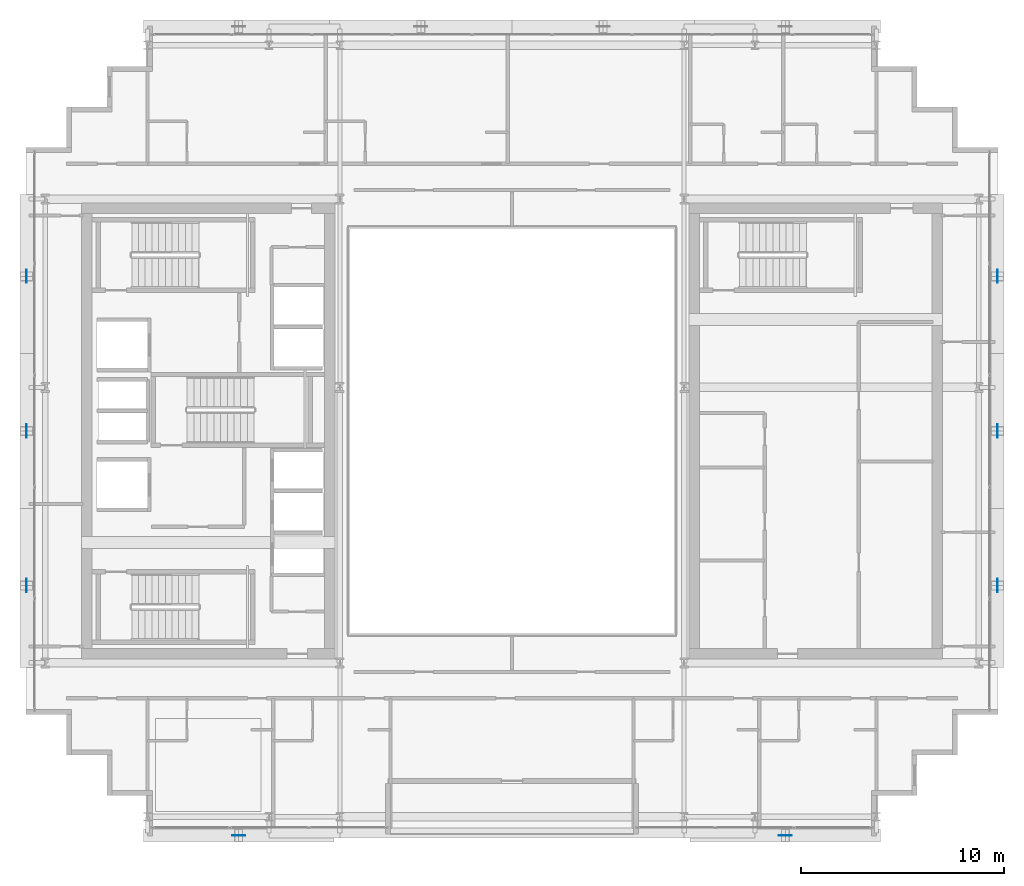
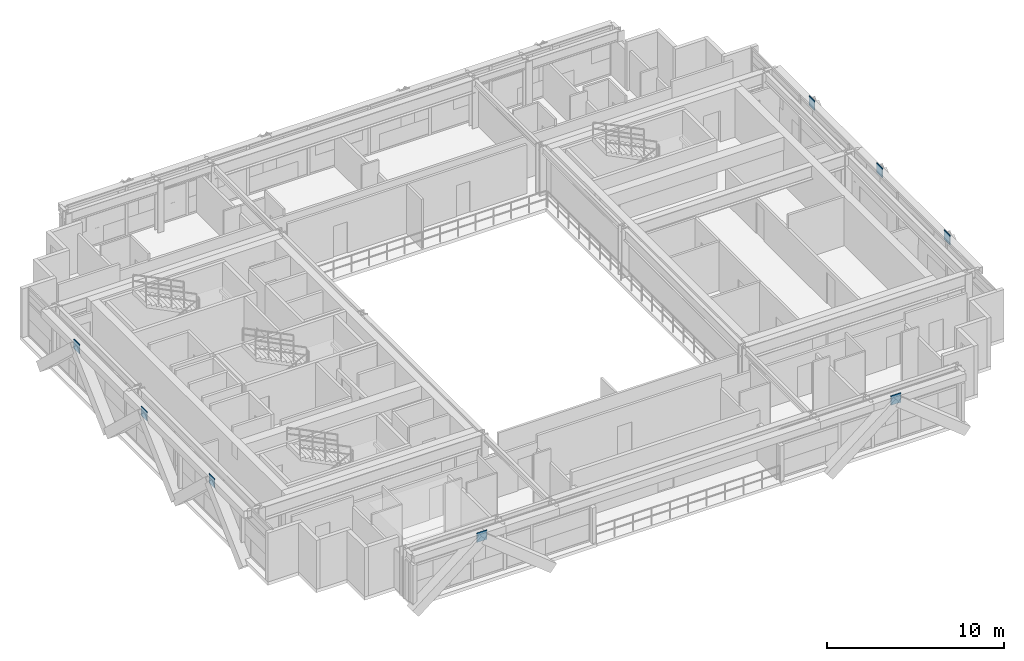
# One storey, part 22 of 31: 8 plates.
"""IFC4 building model written with IfcOpenShell, lengths in metres."""

from ifc_helpers import new_model, si_unit, direction, frame, origin, origin_2d, place, context, subcontext, project, spatial, rectangle, extrude, source, transform, mapped, material, layer, layer_set, type_object, element, save


model = new_model("IFC4")

# Units and contexts
model_context = context("Model", 3, precision=1e-05, world=origin(), true_north=direction((0.0, 1.0)))
body_context = subcontext(model_context, "Body", "Model", "MODEL_VIEW")
ifc_project = project(units=[si_unit("LENGTHUNIT", "METRE"), si_unit("AREAUNIT", "SQUARE_METRE"), si_unit("VOLUMEUNIT", "CUBIC_METRE"), si_unit("PLANEANGLEUNIT", "RADIAN"), si_unit("MASSUNIT", "GRAM", prefix="KILO")], contexts=[model_context])

# Site, building, storey
site_placement = place(None, origin())
site = spatial("IfcSite", under=ifc_project, at=site_placement, CompositionType="ELEMENT")
building_placement = place(site_placement, origin())
building = spatial("IfcBuilding", under=site, at=building_placement, Name="Ocotamira Hotel", CompositionType="ELEMENT")
storey_placement = place(building_placement, frame((0.0, 0.0, 174.0)))
storey = spatial("IfcBuildingStorey", under=building, at=storey_placement, Name="L43", CompositionType="ELEMENT", Elevation=174.0)

# Plates
ifc_material = material(Name="Pale-metal coated steel ASTM A572 Grade 50", Category="steel")
ifc_layer = layer(ifc_material, 0.0400390625)
ifc_layer_set = layer_set([ifc_layer], Name="Pale-metal coated steel ASTM A572 Grade 50")
plate_type = type_object("IfcPlateType", Name="PLT-GUSSET-40", PredefinedType="SHEET", material=ifc_layer_set)
shared_shape_1 = source(origin(), body_context, "Body", "SweptSolid", [
    extrude(rectangle(XDim=0.64990234375, YDim=0.0400390625, at=origin_2d()), origin(), (0.0, 0.0, 1.0), 0.64990234375),
])
for number, where, z_axis, x_axis, name in (
    (1, (18.5, 6.030029296875, 2.795166015625), (0.0, 0.0, 1.0), (1.0, 0.0, 0.0), "L43 Exoskeleton Diagrid S0.1 End Gusset B"),
    (2, (45.5, 6.030029296875, 2.795166015625), (0.0, 0.0, 1.0), (1.0, 0.0, 0.0), "L43 Exoskeleton Diagrid S3.1 End Gusset B"),
):
    element("IfcPlate", number, at=place(storey_placement, frame(where, z_axis=z_axis, x_axis=x_axis)), inside=storey, type_object=plate_type, Name=name, PredefinedType="SHEET", context=body_context, shape_type="MappedRepresentation", body=[
        mapped(shared_shape_1, transform((0.0, 0.0, 0.0), scale=1.0)),
    ])
shared_shape_2 = source(origin(), body_context, "Body", "SweptSolid", [
    extrude(rectangle(XDim=0.0400390625, YDim=0.64990234375, at=origin_2d()), origin(), (0.0, 0.0, 1.0), 0.64990234375),
])
for number, where, z_axis, x_axis, name in (
    (3, (8.030029296875, 18.36669921875, 2.795166015625), (0.0, 0.0, 1.0), (1.0, 0.0, 0.0), "L43 Exoskeleton Diagrid W0.1 End Gusset B"),
    (4, (8.030029296875, 26.0, 2.795166015625), (0.0, 0.0, 1.0), (1.0, 0.0, 0.0), "L43 Exoskeleton Diagrid W1.1 End Gusset B"),
    (5, (8.030029296875, 33.63330078125, 2.795166015625), (0.0, 0.0, 1.0), (1.0, 0.0, 0.0), "L43 Exoskeleton Diagrid W2.1 End Gusset B"),
    (6, (55.969970703125, 18.36669921875, 2.795166015625), (0.0, 0.0, 1.0), (1.0, 0.0, 0.0), "L43 Exoskeleton Diagrid E0.1 End Gusset B"),
    (7, (55.969970703125, 26.0, 2.795166015625), (0.0, 0.0, 1.0), (1.0, 0.0, 0.0), "L43 Exoskeleton Diagrid E1.1 End Gusset B"),
    (8, (55.969970703125, 33.63330078125, 2.795166015625), (0.0, 0.0, 1.0), (1.0, 0.0, 0.0), "L43 Exoskeleton Diagrid E2.1 End Gusset B"),
):
    element("IfcPlate", number, at=place(storey_placement, frame(where, z_axis=z_axis, x_axis=x_axis)), inside=storey, type_object=plate_type, Name=name, PredefinedType="SHEET", context=body_context, shape_type="MappedRepresentation", body=[
        mapped(shared_shape_2, transform((0.0, 0.0, 0.0), scale=1.0)),
    ])

save(model, "model.ifc")
